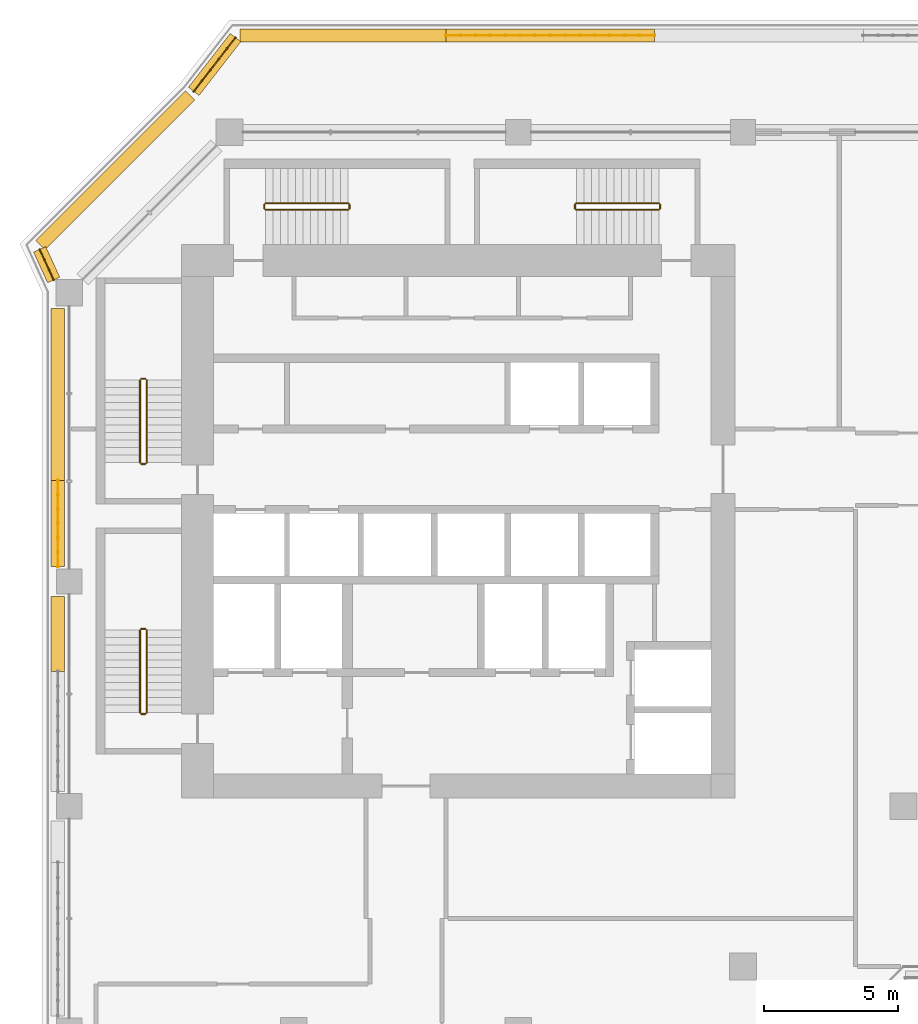
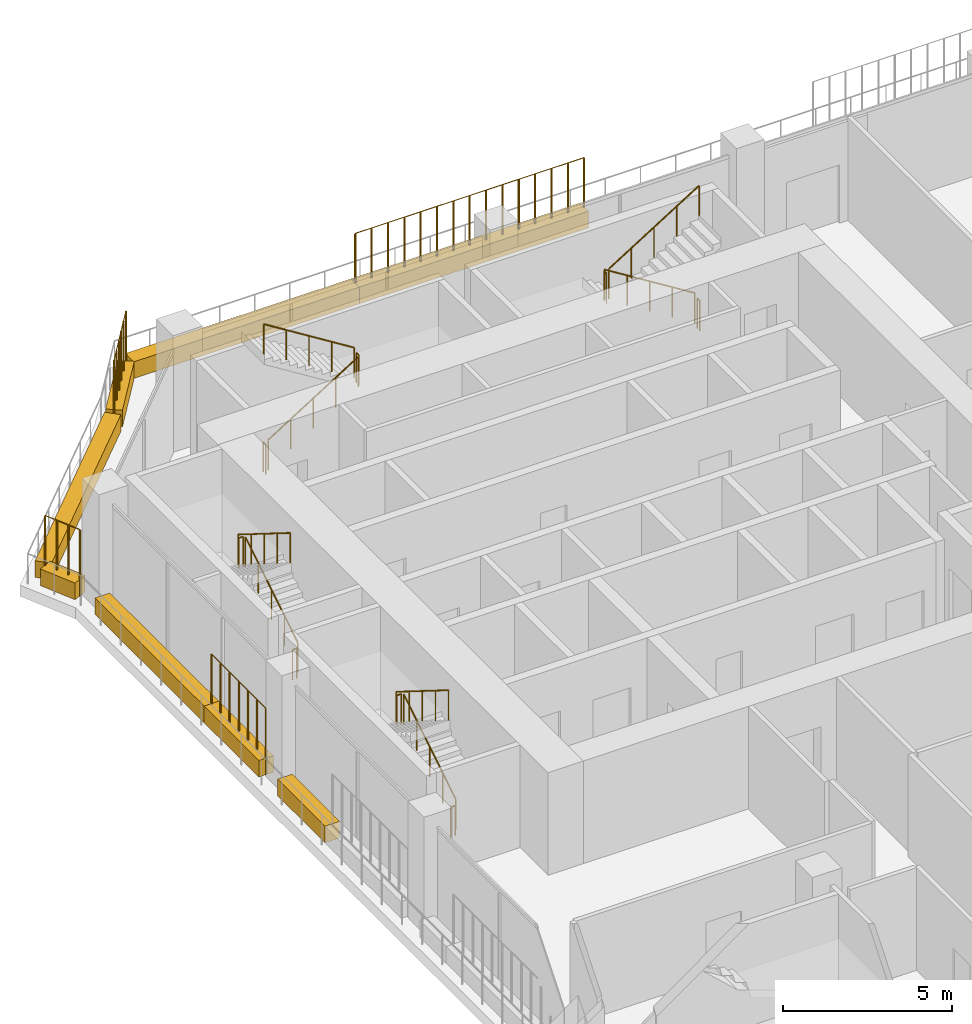
# One storey, part 20 of 22: 20 railings, 8 coverings.
"""IFC4 building model written with IfcOpenShell, lengths in metres."""

from ifc_helpers import new_model, si_unit, direction, frame, origin, origin_2d, place, context, subcontext, project, spatial, rectangle, circle, extrude, material, material_profile, profile_set, type_object, element, save


model = new_model("IFC4")

# Units and contexts
model_context = context("Model", 3, precision=1e-05, world=origin(), true_north=direction((0.0, 1.0)))
body_context = subcontext(model_context, "Body", "Model", "MODEL_VIEW")
ifc_project = project(units=[si_unit("LENGTHUNIT", "METRE"), si_unit("AREAUNIT", "SQUARE_METRE"), si_unit("VOLUMEUNIT", "CUBIC_METRE"), si_unit("PLANEANGLEUNIT", "RADIAN"), si_unit("MASSUNIT", "GRAM", prefix="KILO")], contexts=[model_context])

# Site, building, storey
site_placement = place(None, origin())
site = spatial("IfcSite", under=ifc_project, at=site_placement, CompositionType="ELEMENT")
building_placement = place(site_placement, origin())
building = spatial("IfcBuilding", under=site, at=building_placement, Name="Kawkab Arch Medical Tower", CompositionType="ELEMENT")
storey_placement = place(building_placement, frame((0.0, 0.0, 208.800048828125)))
storey = spatial("IfcBuildingStorey", under=building, at=storey_placement, Name="L48", CompositionType="ELEMENT", Elevation=208.800048828125)

# Coverings
ifc_material_1 = material(Name="Planting soil in a precast trough", Category="concrete")
ifc_material_profile = material_profile(ifc_material_1, rectangle(XDim=0.5, YDim=0.60009765625, at=origin_2d()), Name="Trough 500x600")
ifc_profile_set = profile_set([ifc_material_profile], Name="Planting soil in a precast trough")
covering_type = type_object("IfcCoveringType", Name="Planter trough 500 x 600", PredefinedType="USERDEFINED", material=ifc_profile_set)
covering_1_placement = place(storey_placement, frame((-0.419921875, -20.157958984375, 0.300048828125), z_axis=(0.0, 1.0, 0.0), x_axis=(-1.0, 0.0, 0.0)))
element("IfcCovering", 1, at=covering_1_placement, inside=storey, type_object=covering_type, Name="Planter L48.LOG-01-01.12", ObjectType="PLANTER", PredefinedType="USERDEFINED", context=body_context, shape_type="SweptSolid", body=[
    extrude(rectangle(XDim=0.5, YDim=0.60009765625, at=origin_2d()), origin(), (0.0, 0.0, 1.0), 2.802978515625),
])
covering_2_placement = place(storey_placement, frame((-0.419921875, -16.2451171875, 0.300048828125), z_axis=(0.0, 1.0, 0.0), x_axis=(-1.0, 0.0, 0.0)))
element("IfcCovering", 2, at=covering_2_placement, inside=storey, type_object=covering_type, Name="Planter L48.LOG-01-01.13", ObjectType="PLANTER", PredefinedType="USERDEFINED", context=body_context, shape_type="SweptSolid", body=[
    extrude(rectangle(XDim=0.5, YDim=0.60009765625, at=origin_2d()), origin(), (0.0, 0.0, 1.0), 3.22900390625),
])
covering_3_placement = place(storey_placement, frame((-0.419921875, -13.01611328125, 0.300048828125), z_axis=(0.0, 1.0, 0.0), x_axis=(-1.0, 0.0, 0.0)))
element("IfcCovering", 3, at=covering_3_placement, inside=storey, type_object=covering_type, Name="Planter L48.LOG-01-01.14", ObjectType="PLANTER", PredefinedType="USERDEFINED", context=body_context, shape_type="SweptSolid", body=[
    extrude(rectangle(XDim=0.5, YDim=0.60009765625, at=origin_2d()), origin(), (0.0, 0.0, 1.0), 6.43603515625),
])
covering_4_placement = place(storey_placement, frame((-0.580078125, -5.52294921875, 0.300048828125), z_axis=(-0.415089762627, 0.909780461959, 0.0), x_axis=(-0.909780461959, -0.415089762627, 0.0)))
element("IfcCovering", 4, at=covering_4_placement, inside=storey, type_object=covering_type, Name="Planter L48.LOG-01-01.15", ObjectType="PLANTER", PredefinedType="USERDEFINED", context=body_context, shape_type="SweptSolid", body=[
    extrude(rectangle(XDim=0.5, YDim=0.60009765625, at=origin_2d()), origin(), (0.0, 0.0, 1.0), 1.257568359375),
])
covering_5_placement = place(storey_placement, frame((-1.072998046875, -4.217041015625, 0.300048828125), z_axis=(0.707106781187, 0.707106781187, 0.0), x_axis=(-0.707106781187, 0.707106781187, 0.0)))
element("IfcCovering", 5, at=covering_5_placement, inside=storey, type_object=covering_type, Name="Planter L48.LOG-01-01.16", ObjectType="PLANTER", PredefinedType="USERDEFINED", context=body_context, shape_type="SweptSolid", body=[
    extrude(rectangle(XDim=0.5, YDim=0.60009765625, at=origin_2d()), origin(), (0.0, 0.0, 1.0), 7.919677734375),
])
covering_6_placement = place(storey_placement, frame((4.658935546875, 1.531982421875, 0.300048828125), z_axis=(0.61404021143, 0.789274742246, 0.0), x_axis=(-0.789274742246, 0.61404021143, 0.0)))
element("IfcCovering", 6, at=covering_6_placement, inside=storey, type_object=covering_type, Name="Planter L48.LOG-01-01.17", ObjectType="PLANTER", PredefinedType="USERDEFINED", context=body_context, shape_type="SweptSolid", body=[
    extrude(rectangle(XDim=0.5, YDim=0.60009765625, at=origin_2d()), origin(), (0.0, 0.0, 1.0), 2.54541015625),
])
covering_7_placement = place(storey_placement, frame((6.384033203125, 3.6201171875, 0.300048828125), z_axis=(1.0, 0.0, 0.0), x_axis=(0.0, 1.0, 0.0)))
element("IfcCovering", 7, at=covering_7_placement, inside=storey, type_object=covering_type, Name="Planter L48.LOG-01-01.18", ObjectType="PLANTER", PredefinedType="USERDEFINED", context=body_context, shape_type="SweptSolid", body=[
    extrude(rectangle(XDim=0.5, YDim=0.60009765625, at=origin_2d()), origin(), (0.0, 0.0, 1.0), 7.703857421875),
])
covering_8_placement = place(storey_placement, frame((14.087890625, 3.6201171875, 0.300048828125), z_axis=(1.0, 0.0, 0.0), x_axis=(0.0, 1.0, 0.0)))
element("IfcCovering", 8, at=covering_8_placement, inside=storey, type_object=covering_type, Name="Planter L48.LOG-01-01.19", ObjectType="PLANTER", PredefinedType="USERDEFINED", context=body_context, shape_type="SweptSolid", body=[
    extrude(rectangle(XDim=0.5, YDim=0.60009765625, at=origin_2d()), origin(), (0.0, 0.0, 1.0), 7.80517578125),
])

# Railings
ifc_material_2 = material(Name="Bronze anodised aluminium trellis for climbing plants", Category="aluminium")
railing_type_1 = type_object("IfcRailingType", Name="Planting trellis 2400", PredefinedType="USERDEFINED", material=ifc_material_2)
railing_1_placement = place(storey_placement, frame((-0.419921875, -16.2451171875, 0.0)))
element("IfcRailing", 9, at=railing_1_placement, inside=storey, type_object=railing_type_1, Name="Planting trellis L48.LOG-01-01.13", ObjectType="TRELLIS", PredefinedType="USERDEFINED", context=body_context, shape_type="SweptSolid", body=[
    extrude(circle(Radius=0.01513671875, at=origin_2d()), frame((0.0, 0.0, 2.384765625), z_axis=(0.0, 1.0, 0.0), x_axis=(-1.0, 0.0, 0.0)), (0.0, 0.0, 1.0), 3.22900390625),
    extrude(circle(Radius=0.030029296875, at=origin_2d()), origin(), (0.0, 0.0, 1.0), 2.369873046875),
    extrude(circle(Radius=0.030029296875, at=origin_2d()), frame((0.0, 0.5380859375, 0.0)), (0.0, 0.0, 1.0), 2.369873046875),
    extrude(circle(Radius=0.030029296875, at=origin_2d()), frame((0.0, 1.076416015625, 0.0)), (0.0, 0.0, 1.0), 2.369873046875),
    extrude(circle(Radius=0.030029296875, at=origin_2d()), frame((0.0, 1.614501953125, 0.0)), (0.0, 0.0, 1.0), 2.369873046875),
    extrude(circle(Radius=0.030029296875, at=origin_2d()), frame((0.0, 2.152587890625, 0.0)), (0.0, 0.0, 1.0), 2.369873046875),
    extrude(circle(Radius=0.030029296875, at=origin_2d()), frame((0.0, 2.69091796875, 0.0)), (0.0, 0.0, 1.0), 2.369873046875),
    extrude(circle(Radius=0.030029296875, at=origin_2d()), frame((0.0, 3.22900390625, 0.0)), (0.0, 0.0, 1.0), 2.369873046875),
])
railing_2_placement = place(storey_placement, frame((-0.580078125, -5.52294921875, 0.0)))
element("IfcRailing", 10, at=railing_2_placement, inside=storey, type_object=railing_type_1, Name="Planting trellis L48.LOG-01-01.15", ObjectType="TRELLIS", PredefinedType="USERDEFINED", context=body_context, shape_type="SweptSolid", body=[
    extrude(circle(Radius=0.01513671875, at=origin_2d()), frame((0.0, 0.0, 2.384765625), z_axis=(-0.415089762627, 0.909780461959, 0.0), x_axis=(-0.909780461959, -0.415089762627, 0.0)), (0.0, 0.0, 1.0), 1.257568359375),
    extrude(circle(Radius=0.030029296875, at=origin_2d()), origin(), (0.0, 0.0, 1.0), 2.369873046875),
    extrude(circle(Radius=0.030029296875, at=origin_2d()), frame((-0.174072265625, 0.38134765625, 0.0)), (0.0, 0.0, 1.0), 2.369873046875),
    extrude(circle(Radius=0.030029296875, at=origin_2d()), frame((-0.347900390625, 0.7626953125, 0.0)), (0.0, 0.0, 1.0), 2.369873046875),
    extrude(circle(Radius=0.030029296875, at=origin_2d()), frame((-0.52197265625, 1.14404296875, 0.0)), (0.0, 0.0, 1.0), 2.369873046875),
])
railing_3_placement = place(storey_placement, frame((4.658935546875, 1.531982421875, 0.0)))
element("IfcRailing", 11, at=railing_3_placement, inside=storey, type_object=railing_type_1, Name="Planting trellis L48.LOG-01-01.17", ObjectType="TRELLIS", PredefinedType="USERDEFINED", context=body_context, shape_type="SweptSolid", body=[
    extrude(circle(Radius=0.01513671875, at=origin_2d()), frame((0.0, 0.0, 2.384765625), z_axis=(0.61404021143, 0.789274742246, 0.0), x_axis=(-0.789274742246, 0.61404021143, 0.0)), (0.0, 0.0, 1.0), 2.54541015625),
    extrude(circle(Radius=0.030029296875, at=origin_2d()), origin(), (0.0, 0.0, 1.0), 2.369873046875),
    extrude(circle(Radius=0.030029296875, at=origin_2d()), frame((0.3125, 0.40185546875, 0.0)), (0.0, 0.0, 1.0), 2.369873046875),
    extrude(circle(Radius=0.030029296875, at=origin_2d()), frame((0.625244140625, 0.8037109375, 0.0)), (0.0, 0.0, 1.0), 2.369873046875),
    extrude(circle(Radius=0.030029296875, at=origin_2d()), frame((0.937744140625, 1.205322265625, 0.0)), (0.0, 0.0, 1.0), 2.369873046875),
    extrude(circle(Radius=0.030029296875, at=origin_2d()), frame((1.25048828125, 1.607177734375, 0.0)), (0.0, 0.0, 1.0), 2.369873046875),
    extrude(circle(Radius=0.030029296875, at=origin_2d()), frame((1.56298828125, 2.009033203125, 0.0)), (0.0, 0.0, 1.0), 2.369873046875),
])
railing_4_placement = place(storey_placement, frame((14.087890625, 3.6201171875, 0.0)))
element("IfcRailing", 12, at=railing_4_placement, inside=storey, type_object=railing_type_1, Name="Planting trellis L48.LOG-01-01.19", ObjectType="TRELLIS", PredefinedType="USERDEFINED", context=body_context, shape_type="SweptSolid", body=[
    extrude(circle(Radius=0.01513671875, at=origin_2d()), frame((0.0, 0.0, 2.384765625), z_axis=(1.0, 0.0, 0.0), x_axis=(0.0, 1.0, 0.0)), (0.0, 0.0, 1.0), 7.80517578125),
    extrude(circle(Radius=0.030029296875, at=origin_2d()), origin(), (0.0, 0.0, 1.0), 2.369873046875),
    extrude(circle(Radius=0.030029296875, at=origin_2d()), frame((0.5576171875, 0.0, 0.0)), (0.0, 0.0, 1.0), 2.369873046875),
    extrude(circle(Radius=0.030029296875, at=origin_2d()), frame((1.114990234375, 0.0, 0.0)), (0.0, 0.0, 1.0), 2.369873046875),
    extrude(circle(Radius=0.030029296875, at=origin_2d()), frame((1.672607421875, 0.0, 0.0)), (0.0, 0.0, 1.0), 2.369873046875),
    extrude(circle(Radius=0.030029296875, at=origin_2d()), frame((2.22998046875, 0.0, 0.0)), (0.0, 0.0, 1.0), 2.369873046875),
    extrude(circle(Radius=0.030029296875, at=origin_2d()), frame((2.78759765625, 0.0, 0.0)), (0.0, 0.0, 1.0), 2.369873046875),
    extrude(circle(Radius=0.030029296875, at=origin_2d()), frame((3.344970703125, 0.0, 0.0)), (0.0, 0.0, 1.0), 2.369873046875),
    extrude(circle(Radius=0.030029296875, at=origin_2d()), frame((3.902587890625, 0.0, 0.0)), (0.0, 0.0, 1.0), 2.369873046875),
    extrude(circle(Radius=0.030029296875, at=origin_2d()), frame((4.460205078125, 0.0, 0.0)), (0.0, 0.0, 1.0), 2.369873046875),
    extrude(circle(Radius=0.030029296875, at=origin_2d()), frame((5.017578125, 0.0, 0.0)), (0.0, 0.0, 1.0), 2.369873046875),
    extrude(circle(Radius=0.030029296875, at=origin_2d()), frame((5.5751953125, 0.0, 0.0)), (0.0, 0.0, 1.0), 2.369873046875),
    extrude(circle(Radius=0.030029296875, at=origin_2d()), frame((6.132568359375, 0.0, 0.0)), (0.0, 0.0, 1.0), 2.369873046875),
    extrude(circle(Radius=0.030029296875, at=origin_2d()), frame((6.690185546875, 0.0, 0.0)), (0.0, 0.0, 1.0), 2.369873046875),
    extrude(circle(Radius=0.030029296875, at=origin_2d()), frame((7.24755859375, 0.0, 0.0)), (0.0, 0.0, 1.0), 2.369873046875),
    extrude(circle(Radius=0.030029296875, at=origin_2d()), frame((7.80517578125, 0.0, 0.0)), (0.0, 0.0, 1.0), 2.369873046875),
])
ifc_material_3 = material(Name="Stainless steel", Category="steel")
railing_type_2 = type_object("IfcRailingType", Name="Stair guard 1100", PredefinedType="GUARDRAIL", material=ifc_material_3)
railing_5_placement = place(storey_placement, frame((2.89990234375, -12.35009765625, 0.175048828125)))
element("IfcRailing", 13, at=railing_5_placement, inside=storey, type_object=railing_type_2, Name="L48 ST1 stair guard 1", PredefinedType="GUARDRAIL", context=body_context, shape_type="SweptSolid", body=[
    extrude(circle(Radius=0.02392578125, at=origin_2d()), frame((0.0, 0.0, 1.076171875), z_axis=(0.0, 0.848028513186, 0.529950602248), x_axis=(-1.0, 0.0, 0.0)), (0.0, 0.0, 1.0), 3.632080078125),
    extrude(circle(Radius=0.02099609375, at=origin_2d()), origin(), (0.0, 0.0, 1.0), 1.052001953125),
    extrude(circle(Radius=0.02099609375, at=origin_2d()), frame((0.0, 0.77001953125, 0.481201171875)), (0.0, 0.0, 1.0), 1.052001953125),
    extrude(circle(Radius=0.02099609375, at=origin_2d()), frame((0.0, 1.5400390625, 0.96240234375)), (0.0, 0.0, 1.0), 1.052001953125),
    extrude(circle(Radius=0.02099609375, at=origin_2d()), frame((0.0, 2.31005859375, 1.443603515625)), (0.0, 0.0, 1.0), 1.052001953125),
    extrude(circle(Radius=0.02099609375, at=origin_2d()), frame((0.0, 3.080078125, 1.9248046875)), (0.0, 0.0, 1.0), 1.052001953125),
])
railing_6_placement = place(storey_placement, frame((2.85009765625, -9.219970703125, 2.099853515625)))
element("IfcRailing", 14, at=railing_6_placement, inside=storey, type_object=railing_type_2, Name="L48 ST1 stair guard 2", PredefinedType="GUARDRAIL", context=body_context, shape_type="SweptSolid", body=[
    extrude(circle(Radius=0.02392578125, at=origin_2d()), frame((0.0, 0.0, 1.076171875), z_axis=(-1.0, 0.0, 0.0), x_axis=(0.0, -1.0, 0.0)), (0.0, 0.0, 1.0), 0.150146484375),
    extrude(circle(Radius=0.02099609375, at=origin_2d()), origin(), (0.0, 0.0, 1.0), 1.052001953125),
    extrude(circle(Radius=0.02099609375, at=origin_2d()), frame((-0.150146484375, 0.0, 0.0)), (0.0, 0.0, 1.0), 1.052001953125),
])
railing_7_placement = place(storey_placement, frame((2.64990234375, -9.27001953125, 2.27490234375)))
element("IfcRailing", 15, at=railing_7_placement, inside=storey, type_object=railing_type_2, Name="L48 ST1 stair guard 3", PredefinedType="GUARDRAIL", context=body_context, shape_type="SweptSolid", body=[
    extrude(circle(Radius=0.02392578125, at=origin_2d()), frame((0.0, 0.0, 1.076171875), z_axis=(0.0, -0.847998304005, 0.529998940003), x_axis=(1.0, 0.0, 0.0)), (0.0, 0.0, 1.0), 3.632080078125),
    extrude(circle(Radius=0.02099609375, at=origin_2d()), origin(), (0.0, 0.0, 1.0), 1.052001953125),
    extrude(circle(Radius=0.02099609375, at=origin_2d()), frame((0.0, -0.77001953125, 0.481201171875)), (0.0, 0.0, 1.0), 1.052001953125),
    extrude(circle(Radius=0.02099609375, at=origin_2d()), frame((0.0, -1.5400390625, 0.96240234375)), (0.0, 0.0, 1.0), 1.052001953125),
    extrude(circle(Radius=0.02099609375, at=origin_2d()), frame((0.0, -2.31005859375, 1.44384765625)), (0.0, 0.0, 1.0), 1.052001953125),
    extrude(circle(Radius=0.02099609375, at=origin_2d()), frame((0.0, -3.080078125, 1.925048828125)), (0.0, 0.0, 1.0), 1.052001953125),
])
railing_8_placement = place(storey_placement, frame((2.85009765625, -12.39990234375, 0.0)))
element("IfcRailing", 16, at=railing_8_placement, inside=storey, type_object=railing_type_2, Name="L48 ST1 stair guard 4", PredefinedType="GUARDRAIL", context=body_context, shape_type="SweptSolid", body=[
    extrude(circle(Radius=0.02392578125, at=origin_2d()), frame((0.0, 0.0, 1.076171875), z_axis=(-1.0, 0.0, 0.0), x_axis=(0.0, -1.0, 0.0)), (0.0, 0.0, 1.0), 0.150146484375),
    extrude(circle(Radius=0.02099609375, at=origin_2d()), origin(), (0.0, 0.0, 1.0), 1.052001953125),
    extrude(circle(Radius=0.02099609375, at=origin_2d()), frame((-0.150146484375, 0.0, 0.0)), (0.0, 0.0, 1.0), 1.052001953125),
])
railing_9_placement = place(storey_placement, frame((2.89990234375, -21.699951171875, 0.175048828125)))
element("IfcRailing", 17, at=railing_9_placement, inside=storey, type_object=railing_type_2, Name="L48 ST2 stair guard 1", PredefinedType="GUARDRAIL", context=body_context, shape_type="SweptSolid", body=[
    extrude(circle(Radius=0.02392578125, at=origin_2d()), frame((0.0, 0.0, 1.076171875), z_axis=(0.0, 0.848009633417, 0.529980812513), x_axis=(-1.0, 0.0, 0.0)), (0.0, 0.0, 1.0), 3.6318359375),
    extrude(circle(Radius=0.02099609375, at=origin_2d()), origin(), (0.0, 0.0, 1.0), 1.052001953125),
    extrude(circle(Radius=0.02099609375, at=origin_2d()), frame((0.0, 0.77001953125, 0.481201171875)), (0.0, 0.0, 1.0), 1.052001953125),
    extrude(circle(Radius=0.02099609375, at=origin_2d()), frame((0.0, 1.5400390625, 0.96240234375)), (0.0, 0.0, 1.0), 1.052001953125),
    extrude(circle(Radius=0.02099609375, at=origin_2d()), frame((0.0, 2.309814453125, 1.443603515625)), (0.0, 0.0, 1.0), 1.052001953125),
    extrude(circle(Radius=0.02099609375, at=origin_2d()), frame((0.0, 3.079833984375, 1.9248046875)), (0.0, 0.0, 1.0), 1.052001953125),
])
railing_10_placement = place(storey_placement, frame((2.85009765625, -18.570068359375, 2.099853515625)))
element("IfcRailing", 18, at=railing_10_placement, inside=storey, type_object=railing_type_2, Name="L48 ST2 stair guard 2", PredefinedType="GUARDRAIL", context=body_context, shape_type="SweptSolid", body=[
    extrude(circle(Radius=0.02392578125, at=origin_2d()), frame((0.0, 0.0, 1.076171875), z_axis=(-1.0, 0.0, 0.0), x_axis=(0.0, -1.0, 0.0)), (0.0, 0.0, 1.0), 0.150146484375),
    extrude(circle(Radius=0.02099609375, at=origin_2d()), origin(), (0.0, 0.0, 1.0), 1.052001953125),
    extrude(circle(Radius=0.02099609375, at=origin_2d()), frame((-0.150146484375, 0.0, 0.0)), (0.0, 0.0, 1.0), 1.052001953125),
])
railing_11_placement = place(storey_placement, frame((2.64990234375, -18.6201171875, 2.27490234375)))
element("IfcRailing", 19, at=railing_11_placement, inside=storey, type_object=railing_type_2, Name="L48 ST2 stair guard 3", PredefinedType="GUARDRAIL", context=body_context, shape_type="SweptSolid", body=[
    extrude(circle(Radius=0.02392578125, at=origin_2d()), frame((0.0, 0.0, 1.076171875), z_axis=(0.0, -0.847979421464, 0.530029150871), x_axis=(1.0, 0.0, 0.0)), (0.0, 0.0, 1.0), 3.632080078125),
    extrude(circle(Radius=0.02099609375, at=origin_2d()), origin(), (0.0, 0.0, 1.0), 1.052001953125),
    extrude(circle(Radius=0.02099609375, at=origin_2d()), frame((0.0, -0.77001953125, 0.481201171875)), (0.0, 0.0, 1.0), 1.052001953125),
    extrude(circle(Radius=0.02099609375, at=origin_2d()), frame((0.0, -1.5400390625, 0.96240234375)), (0.0, 0.0, 1.0), 1.052001953125),
    extrude(circle(Radius=0.02099609375, at=origin_2d()), frame((0.0, -2.309814453125, 1.44384765625)), (0.0, 0.0, 1.0), 1.052001953125),
    extrude(circle(Radius=0.02099609375, at=origin_2d()), frame((0.0, -3.079833984375, 1.925048828125)), (0.0, 0.0, 1.0), 1.052001953125),
])
railing_12_placement = place(storey_placement, frame((2.85009765625, -21.75, 0.0)))
element("IfcRailing", 20, at=railing_12_placement, inside=storey, type_object=railing_type_2, Name="L48 ST2 stair guard 4", PredefinedType="GUARDRAIL", context=body_context, shape_type="SweptSolid", body=[
    extrude(circle(Radius=0.02392578125, at=origin_2d()), frame((0.0, 0.0, 1.076171875), z_axis=(-1.0, 0.0, 0.0), x_axis=(0.0, -1.0, 0.0)), (0.0, 0.0, 1.0), 0.150146484375),
    extrude(circle(Radius=0.02099609375, at=origin_2d()), origin(), (0.0, 0.0, 1.0), 1.052001953125),
    extrude(circle(Radius=0.02099609375, at=origin_2d()), frame((-0.150146484375, 0.0, 0.0)), (0.0, 0.0, 1.0), 1.052001953125),
])
railing_13_placement = place(storey_placement, frame((7.35009765625, -2.89990234375, 0.175048828125)))
element("IfcRailing", 21, at=railing_13_placement, inside=storey, type_object=railing_type_2, Name="L48 ST3 stair guard 1", PredefinedType="GUARDRAIL", context=body_context, shape_type="SweptSolid", body=[
    extrude(circle(Radius=0.02392578125, at=origin_2d()), frame((0.0, 0.0, 1.076171875), z_axis=(0.848009633417, 0.0, 0.529980812513), x_axis=(0.0, 1.0, 0.0)), (0.0, 0.0, 1.0), 3.6318359375),
    extrude(circle(Radius=0.02099609375, at=origin_2d()), origin(), (0.0, 0.0, 1.0), 1.052001953125),
    extrude(circle(Radius=0.02099609375, at=origin_2d()), frame((0.77001953125, 0.0, 0.481201171875)), (0.0, 0.0, 1.0), 1.052001953125),
    extrude(circle(Radius=0.02099609375, at=origin_2d()), frame((1.5400390625, 0.0, 0.96240234375)), (0.0, 0.0, 1.0), 1.052001953125),
    extrude(circle(Radius=0.02099609375, at=origin_2d()), frame((2.309814453125, 0.0, 1.443603515625)), (0.0, 0.0, 1.0), 1.052001953125),
    extrude(circle(Radius=0.02099609375, at=origin_2d()), frame((3.079833984375, 0.0, 1.9248046875)), (0.0, 0.0, 1.0), 1.052001953125),
])
railing_14_placement = place(storey_placement, frame((10.47998046875, -2.85009765625, 2.099853515625)))
element("IfcRailing", 22, at=railing_14_placement, inside=storey, type_object=railing_type_2, Name="L48 ST3 stair guard 2", PredefinedType="GUARDRAIL", context=body_context, shape_type="SweptSolid", body=[
    extrude(circle(Radius=0.02392578125, at=origin_2d()), frame((0.0, 0.0, 1.076171875), z_axis=(0.0, 1.0, 0.0), x_axis=(-1.0, 0.0, 0.0)), (0.0, 0.0, 1.0), 0.150146484375),
    extrude(circle(Radius=0.02099609375, at=origin_2d()), origin(), (0.0, 0.0, 1.0), 1.052001953125),
    extrude(circle(Radius=0.02099609375, at=origin_2d()), frame((0.0, 0.150146484375, 0.0)), (0.0, 0.0, 1.0), 1.052001953125),
])
railing_15_placement = place(storey_placement, frame((10.429931640625, -2.64990234375, 2.27490234375)))
element("IfcRailing", 23, at=railing_15_placement, inside=storey, type_object=railing_type_2, Name="L48 ST3 stair guard 3", PredefinedType="GUARDRAIL", context=body_context, shape_type="SweptSolid", body=[
    extrude(circle(Radius=0.02392578125, at=origin_2d()), frame((0.0, 0.0, 1.076171875), z_axis=(-0.847979421464, 0.0, 0.530029150871), x_axis=(0.0, -1.0, 0.0)), (0.0, 0.0, 1.0), 3.632080078125),
    extrude(circle(Radius=0.02099609375, at=origin_2d()), origin(), (0.0, 0.0, 1.0), 1.052001953125),
    extrude(circle(Radius=0.02099609375, at=origin_2d()), frame((-0.77001953125, 0.0, 0.481201171875)), (0.0, 0.0, 1.0), 1.052001953125),
    extrude(circle(Radius=0.02099609375, at=origin_2d()), frame((-1.5400390625, 0.0, 0.96240234375)), (0.0, 0.0, 1.0), 1.052001953125),
    extrude(circle(Radius=0.02099609375, at=origin_2d()), frame((-2.309814453125, 0.0, 1.44384765625)), (0.0, 0.0, 1.0), 1.052001953125),
    extrude(circle(Radius=0.02099609375, at=origin_2d()), frame((-3.079833984375, 0.0, 1.925048828125)), (0.0, 0.0, 1.0), 1.052001953125),
])
railing_16_placement = place(storey_placement, frame((7.300048828125, -2.85009765625, 0.0)))
element("IfcRailing", 24, at=railing_16_placement, inside=storey, type_object=railing_type_2, Name="L48 ST3 stair guard 4", PredefinedType="GUARDRAIL", context=body_context, shape_type="SweptSolid", body=[
    extrude(circle(Radius=0.02392578125, at=origin_2d()), frame((0.0, 0.0, 1.076171875), z_axis=(0.0, 1.0, 0.0), x_axis=(-1.0, 0.0, 0.0)), (0.0, 0.0, 1.0), 0.150146484375),
    extrude(circle(Radius=0.02099609375, at=origin_2d()), origin(), (0.0, 0.0, 1.0), 1.052001953125),
    extrude(circle(Radius=0.02099609375, at=origin_2d()), frame((0.0, 0.150146484375, 0.0)), (0.0, 0.0, 1.0), 1.052001953125),
])
railing_17_placement = place(storey_placement, frame((22.050048828125, -2.64990234375, 0.175048828125)))
element("IfcRailing", 25, at=railing_17_placement, inside=storey, type_object=railing_type_2, Name="L48 ST4 stair guard 1", PredefinedType="GUARDRAIL", context=body_context, shape_type="SweptSolid", body=[
    extrude(circle(Radius=0.02392578125, at=origin_2d()), frame((0.0, 0.0, 1.076171875), z_axis=(-0.848028513186, 0.0, 0.529950602248), x_axis=(0.0, -1.0, 0.0)), (0.0, 0.0, 1.0), 3.632080078125),
    extrude(circle(Radius=0.02099609375, at=origin_2d()), origin(), (0.0, 0.0, 1.0), 1.052001953125),
    extrude(circle(Radius=0.02099609375, at=origin_2d()), frame((-0.77001953125, 0.0, 0.481201171875)), (0.0, 0.0, 1.0), 1.052001953125),
    extrude(circle(Radius=0.02099609375, at=origin_2d()), frame((-1.5400390625, 0.0, 0.96240234375)), (0.0, 0.0, 1.0), 1.052001953125),
    extrude(circle(Radius=0.02099609375, at=origin_2d()), frame((-2.31005859375, 0.0, 1.443603515625)), (0.0, 0.0, 1.0), 1.052001953125),
    extrude(circle(Radius=0.02099609375, at=origin_2d()), frame((-3.080078125, 0.0, 1.9248046875)), (0.0, 0.0, 1.0), 1.052001953125),
])
railing_18_placement = place(storey_placement, frame((18.919921875, -2.699951171875, 2.099853515625)))
element("IfcRailing", 26, at=railing_18_placement, inside=storey, type_object=railing_type_2, Name="L48 ST4 stair guard 2", PredefinedType="GUARDRAIL", context=body_context, shape_type="SweptSolid", body=[
    extrude(circle(Radius=0.02392578125, at=origin_2d()), frame((0.0, 0.0, 1.076171875), z_axis=(0.0, -1.0, 0.0), x_axis=(1.0, 0.0, 0.0)), (0.0, 0.0, 1.0), 0.150146484375),
    extrude(circle(Radius=0.02099609375, at=origin_2d()), origin(), (0.0, 0.0, 1.0), 1.052001953125),
    extrude(circle(Radius=0.02099609375, at=origin_2d()), frame((0.0, -0.150146484375, 0.0)), (0.0, 0.0, 1.0), 1.052001953125),
])
railing_19_placement = place(storey_placement, frame((18.969970703125, -2.89990234375, 2.27490234375)))
element("IfcRailing", 27, at=railing_19_placement, inside=storey, type_object=railing_type_2, Name="L48 ST4 stair guard 3", PredefinedType="GUARDRAIL", context=body_context, shape_type="SweptSolid", body=[
    extrude(circle(Radius=0.02392578125, at=origin_2d()), frame((0.0, 0.0, 1.076171875), z_axis=(0.847998304005, 0.0, 0.529998940003), x_axis=(0.0, 1.0, 0.0)), (0.0, 0.0, 1.0), 3.632080078125),
    extrude(circle(Radius=0.02099609375, at=origin_2d()), origin(), (0.0, 0.0, 1.0), 1.052001953125),
    extrude(circle(Radius=0.02099609375, at=origin_2d()), frame((0.77001953125, 0.0, 0.481201171875)), (0.0, 0.0, 1.0), 1.052001953125),
    extrude(circle(Radius=0.02099609375, at=origin_2d()), frame((1.5400390625, 0.0, 0.96240234375)), (0.0, 0.0, 1.0), 1.052001953125),
    extrude(circle(Radius=0.02099609375, at=origin_2d()), frame((2.31005859375, 0.0, 1.44384765625)), (0.0, 0.0, 1.0), 1.052001953125),
    extrude(circle(Radius=0.02099609375, at=origin_2d()), frame((3.080078125, 0.0, 1.925048828125)), (0.0, 0.0, 1.0), 1.052001953125),
])
railing_20_placement = place(storey_placement, frame((22.10009765625, -2.699951171875, 0.0)))
element("IfcRailing", 28, at=railing_20_placement, inside=storey, type_object=railing_type_2, Name="L48 ST4 stair guard 4", PredefinedType="GUARDRAIL", context=body_context, shape_type="SweptSolid", body=[
    extrude(circle(Radius=0.02392578125, at=origin_2d()), frame((0.0, 0.0, 1.076171875), z_axis=(0.0, -1.0, 0.0), x_axis=(1.0, 0.0, 0.0)), (0.0, 0.0, 1.0), 0.150146484375),
    extrude(circle(Radius=0.02099609375, at=origin_2d()), origin(), (0.0, 0.0, 1.0), 1.052001953125),
    extrude(circle(Radius=0.02099609375, at=origin_2d()), frame((0.0, -0.150146484375, 0.0)), (0.0, 0.0, 1.0), 1.052001953125),
])

save(model, "model.ifc")
